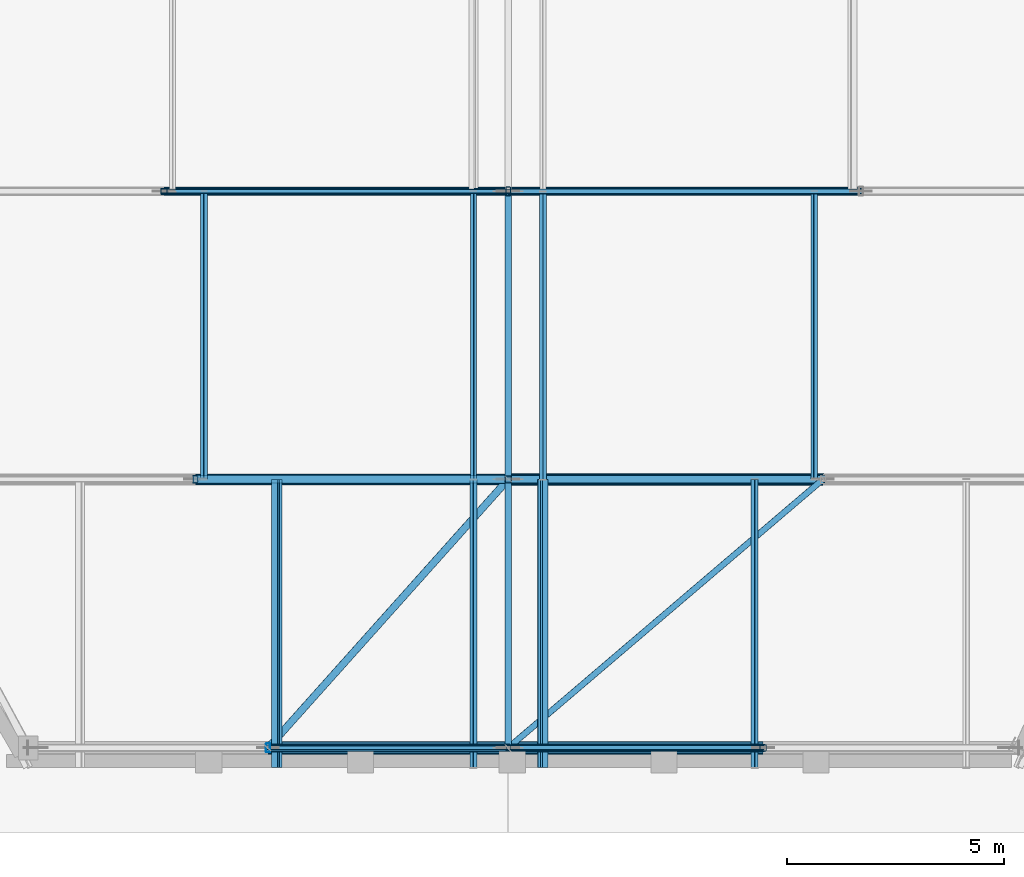
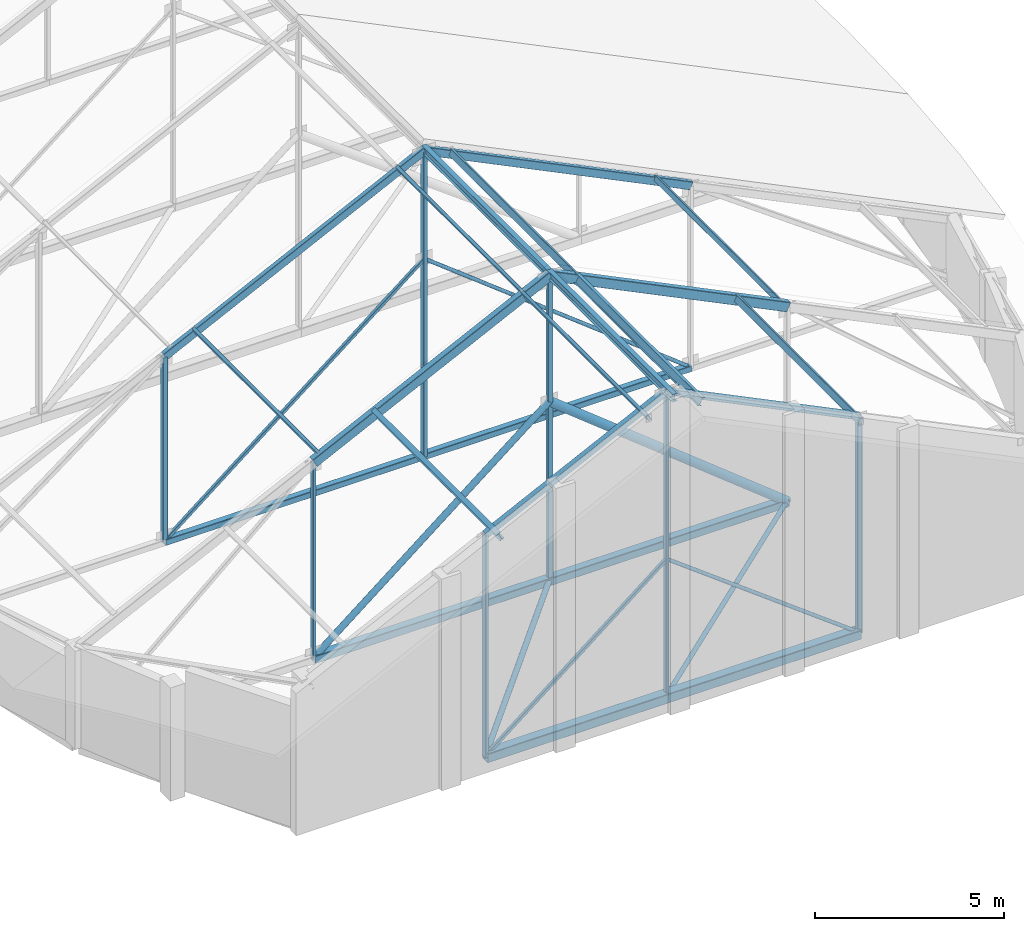
# One storey, part 28 of 78: 37 members.
"""IFC4 building model written with IfcOpenShell, lengths in metres."""

from ifc_helpers import new_model, si_unit, direction, frame, origin, origin_2d, place, context, subcontext, project, spatial, hollow_rectangle, hollow_circle, i_section, extrude, material, material_profile, profile_set, type_object, element, save


model = new_model("IFC4")

# Units and contexts
model_context = context("Model", 3, precision=1e-05, world=origin(), true_north=direction((0.0, 1.0)))
body_context = subcontext(model_context, "Body", "Model", "MODEL_VIEW")
ifc_project = project(units=[si_unit("LENGTHUNIT", "METRE"), si_unit("AREAUNIT", "SQUARE_METRE"), si_unit("VOLUMEUNIT", "CUBIC_METRE"), si_unit("PLANEANGLEUNIT", "RADIAN"), si_unit("MASSUNIT", "GRAM", prefix="KILO")], contexts=[model_context])

# Site, building, storey
site_placement = place(None, origin())
site = spatial("IfcSite", under=ifc_project, at=site_placement, CompositionType="ELEMENT")
building_placement = place(site_placement, origin())
building = spatial("IfcBuilding", under=site, at=building_placement, Name="Kelanivale Promenade Academy", CompositionType="ELEMENT")
storey_placement = place(building_placement, frame((0.0, 0.0, 16.199951171875)))
storey = spatial("IfcBuildingStorey", under=building, at=storey_placement, Name="L04", CompositionType="ELEMENT", Elevation=16.199951171875)

# Members
ifc_material = material(Name="Steel S355", Category="steel")
ifc_material_profile_1 = material_profile(ifc_material, i_section(OverallWidth=0.14599609375, OverallDepth=0.25146484375, WebThickness=0.006103515625, FlangeThickness=0.008544921875, FilletRadius=0.007568359375, at=origin_2d()), Name="UB 254x146x31")
ifc_profile_set_1 = profile_set([ifc_material_profile_1], Name="Steel S355")
member_type_1 = type_object("IfcMemberType", Name="PR-02 UB 254x146x31", PredefinedType="PURLIN", material=ifc_profile_set_1)
for number, where, z_axis, x_axis, name in (
    (1, (139.199951171875, 33.0, 10.087158203125), (0.0, 1.0, 0.0), (-1.0, 0.0, 0.0), "Assembly Hall Arc Pavilion roof tie purlin PR-02"),
    (2, (133.875, 33.0, 7.47607421875), (0.0, 1.0, 0.0), (-0.898564392509, 0.0, -0.438841694139), "Assembly Hall Arc Pavilion roof purlin PR-02"),
    (3, (140.0, 33.0, 9.68603515625), (0.0, 1.0, 0.0), (-0.898564392509, 0.0, 0.438841694139), "Assembly Hall Arc Pavilion roof purlin PR-02"),
):
    element("IfcMember", number, at=place(storey_placement, frame(where, z_axis=z_axis, x_axis=x_axis)), inside=storey, type_object=member_type_1, Name=name, PredefinedType="PURLIN", context=body_context, shape_type="SweptSolid", body=[
        extrude(i_section(OverallWidth=0.14599609375, OverallDepth=0.25146484375, WebThickness=0.006103515625, FlangeThickness=0.008544921875, FilletRadius=0.007568359375, at=origin_2d()), origin(), (0.0, 0.0, 1.0), 6.62890625),
    ])
member_1_placement = place(storey_placement, frame((139.199951171875, 39.62890625, 10.087158203125), z_axis=(0.0, 1.0, 0.0), x_axis=(-1.0, 0.0, 0.0)))
element("IfcMember", 4, at=member_1_placement, inside=storey, type_object=member_type_1, Name="Assembly Hall Arc Pavilion roof tie purlin PR-02", PredefinedType="PURLIN", context=body_context, shape_type="SweptSolid", body=[
    extrude(i_section(OverallWidth=0.14599609375, OverallDepth=0.25146484375, WebThickness=0.006103515625, FlangeThickness=0.008544921875, FilletRadius=0.007568359375, at=origin_2d()), origin(), (0.0, 0.0, 1.0), 6.628173828125),
])
ifc_material_profile_2 = material_profile(ifc_material, hollow_rectangle(XDim=0.10009765625, YDim=0.199951171875, WallThickness=0.008056640625, InnerFilletRadius=0.008056640625, OuterFilletRadius=0.01611328125, at=origin_2d()), Name="RHS 200x100x8.0")
ifc_profile_set_2 = profile_set([ifc_material_profile_2], Name="Steel S355")
member_type_2 = type_object("IfcMemberType", Name="PR-03 RHS 200x100x8.0", PredefinedType="PURLIN", material=ifc_profile_set_2)
for number, where, z_axis, x_axis, name in (
    (5, (138.39990234375, 33.0, 9.715087890625), (0.0, 1.0, 0.0), (-0.898564392509, 0.0, -0.438841694139), "Assembly Hall Arc Pavilion roof purlin PR-03"),
    (6, (144.868896484375, 33.0, 7.337158203125), (0.0, 1.0, 0.0), (-0.898564392509, 0.0, 0.438841694139), "Assembly Hall Arc Pavilion roof purlin PR-03"),
):
    element("IfcMember", number, at=place(storey_placement, frame(where, z_axis=z_axis, x_axis=x_axis)), inside=storey, type_object=member_type_2, Name=name, PredefinedType="PURLIN", context=body_context, shape_type="SweptSolid", body=[
        extrude(hollow_rectangle(XDim=0.10009765625, YDim=0.199951171875, WallThickness=0.008056640625, InnerFilletRadius=0.008056640625, OuterFilletRadius=0.01611328125, at=origin_2d()), origin(), (0.0, 0.0, 1.0), 6.62890625),
    ])
for number, where, z_axis, x_axis, name in (
    (7, (132.199951171875, 39.62890625, 6.68701171875), (0.0, 1.0, 0.0), (-0.898564392509, 0.0, -0.438841694139), "Assembly Hall Arc Pavilion roof purlin PR-03"),
    (8, (140.0, 39.62890625, 9.715087890625), (0.0, 1.0, 0.0), (-0.898564392509, 0.0, 0.438841694139), "Assembly Hall Arc Pavilion roof purlin PR-03"),
):
    element("IfcMember", number, at=place(storey_placement, frame(where, z_axis=z_axis, x_axis=x_axis)), inside=storey, type_object=member_type_2, Name=name, PredefinedType="PURLIN", context=body_context, shape_type="SweptSolid", body=[
        extrude(hollow_rectangle(XDim=0.10009765625, YDim=0.199951171875, WallThickness=0.008056640625, InnerFilletRadius=0.008056640625, OuterFilletRadius=0.01611328125, at=origin_2d()), origin(), (0.0, 0.0, 1.0), 6.628173828125),
    ])
ifc_material_profile_3 = material_profile(ifc_material, hollow_rectangle(XDim=0.10009765625, YDim=0.14990234375, WallThickness=0.008056640625, InnerFilletRadius=0.008056640625, OuterFilletRadius=0.01611328125, at=origin_2d()), Name="RHS 150x100x8.0")
ifc_profile_set_3 = profile_set([ifc_material_profile_3], Name="Steel S355")
member_type_3 = type_object("IfcMemberType", Name="PR-04 RHS 150x100x8.0", PredefinedType="PURLIN", material=ifc_profile_set_3)
for number, where, z_axis, x_axis, name in (
    (9, (138.39990234375, 39.62890625, 9.7431640625), (0.0, 1.0, 0.0), (-0.898564392509, 0.0, -0.438841694139), "Assembly Hall Arc Pavilion roof purlin PR-04"),
    (10, (146.2451171875, 39.62890625, 6.693115234375), (0.0, 1.0, 0.0), (-0.898564392509, 0.0, 0.438841694139), "Assembly Hall Arc Pavilion roof purlin PR-04"),
):
    element("IfcMember", number, at=place(storey_placement, frame(where, z_axis=z_axis, x_axis=x_axis)), inside=storey, type_object=member_type_3, Name=name, PredefinedType="PURLIN", context=body_context, shape_type="SweptSolid", body=[
        extrude(hollow_rectangle(XDim=0.10009765625, YDim=0.14990234375, WallThickness=0.008056640625, InnerFilletRadius=0.008056640625, OuterFilletRadius=0.01611328125, at=origin_2d()), origin(), (0.0, 0.0, 1.0), 6.628173828125),
    ])
ifc_material_profile_4 = material_profile(ifc_material, hollow_rectangle(XDim=0.300048828125, YDim=0.300048828125, WallThickness=0.01611328125, InnerFilletRadius=0.01611328125, OuterFilletRadius=0.031982421875, at=origin_2d()), Name="SHS 300x300x16.0")
ifc_profile_set_4 = profile_set([ifc_material_profile_4], Name="Steel S355")
member_type_4 = type_object("IfcMemberType", Name="TC-01 SHS 300x300x16.0", PredefinedType="CHORD", material=ifc_profile_set_4)
member_2_placement = place(storey_placement, frame((133.675048828125, 33.449951171875, 0.199951171875), z_axis=(1.0, 0.0, 0.0), x_axis=(0.0, 1.0, 0.0)))
element("IfcMember", 11, at=member_2_placement, inside=storey, type_object=member_type_4, Name="ROOF TRUSS AH-TR1 bottom chord 2", PredefinedType="CHORD", context=body_context, shape_type="SweptSolid", body=[
    extrude(hollow_rectangle(XDim=0.300048828125, YDim=0.300048828125, WallThickness=0.01611328125, InnerFilletRadius=0.01611328125, OuterFilletRadius=0.031982421875, at=origin_2d()), origin(), (0.0, 0.0, 1.0), 5.52490234375),
])
member_3_placement = place(storey_placement, frame((139.199951171875, 33.449951171875, 0.199951171875), z_axis=(1.0, 0.0, 0.0), x_axis=(0.0, 1.0, 0.0)))
element("IfcMember", 12, at=member_3_placement, inside=storey, type_object=member_type_4, Name="ROOF TRUSS AH-TR1 bottom chord 3", PredefinedType="CHORD", context=body_context, shape_type="SweptSolid", body=[
    extrude(hollow_rectangle(XDim=0.300048828125, YDim=0.300048828125, WallThickness=0.01611328125, InnerFilletRadius=0.01611328125, OuterFilletRadius=0.031982421875, at=origin_2d()), origin(), (0.0, 0.0, 1.0), 5.869140625),
])
ifc_material_profile_5 = material_profile(ifc_material, hollow_rectangle(XDim=0.25, YDim=0.25, WallThickness=0.012451171875, InnerFilletRadius=0.012451171875, OuterFilletRadius=0.02490234375, at=origin_2d()), Name="SHS 250x250x12.5")
ifc_profile_set_5 = profile_set([ifc_material_profile_5], Name="Steel S355")
member_type_5 = type_object("IfcMemberType", Name="TC-02 SHS 250x250x12.5", PredefinedType="CHORD", material=ifc_profile_set_5)
member_4_placement = place(storey_placement, frame((132.0, 39.62890625, 0.199951171875), z_axis=(1.0, 0.0, 0.0), x_axis=(0.0, 1.0, 0.0)))
element("IfcMember", 13, at=member_4_placement, inside=storey, type_object=member_type_5, Name="ROOF TRUSS AH-TR2 bottom chord 2", PredefinedType="CHORD", context=body_context, shape_type="SweptSolid", body=[
    extrude(hollow_rectangle(XDim=0.25, YDim=0.25, WallThickness=0.012451171875, InnerFilletRadius=0.012451171875, OuterFilletRadius=0.02490234375, at=origin_2d()), origin(), (0.0, 0.0, 1.0), 7.199951171875),
])
member_5_placement = place(storey_placement, frame((139.199951171875, 39.62890625, 0.199951171875), z_axis=(1.0, 0.0, 0.0), x_axis=(0.0, 1.0, 0.0)))
element("IfcMember", 14, at=member_5_placement, inside=storey, type_object=member_type_5, Name="ROOF TRUSS AH-TR2 bottom chord 3", PredefinedType="CHORD", context=body_context, shape_type="SweptSolid", body=[
    extrude(hollow_rectangle(XDim=0.25, YDim=0.25, WallThickness=0.012451171875, InnerFilletRadius=0.012451171875, OuterFilletRadius=0.02490234375, at=origin_2d()), origin(), (0.0, 0.0, 1.0), 7.2451171875),
])
ifc_material_profile_6 = material_profile(ifc_material, hollow_rectangle(XDim=0.199951171875, YDim=0.199951171875, WallThickness=0.012451171875, InnerFilletRadius=0.012451171875, OuterFilletRadius=0.02490234375, at=origin_2d()), Name="SHS 200x200x12.5")
ifc_profile_set_6 = profile_set([ifc_material_profile_6], Name="Steel S355")
member_type_6 = type_object("IfcMemberType", Name="TC-03 SHS 200x200x12.5", PredefinedType="CHORD", material=ifc_profile_set_6)
member_6_placement = place(storey_placement, frame((131.27490234375, 46.257080078125, 0.199951171875), z_axis=(1.0, 0.0, 0.0), x_axis=(0.0, 1.0, 0.0)))
element("IfcMember", 15, at=member_6_placement, inside=storey, type_object=member_type_6, Name="ROOF TRUSS AH-TR3 bottom chord 2", PredefinedType="CHORD", context=body_context, shape_type="SweptSolid", body=[
    extrude(hollow_rectangle(XDim=0.199951171875, YDim=0.199951171875, WallThickness=0.012451171875, InnerFilletRadius=0.012451171875, OuterFilletRadius=0.02490234375, at=origin_2d()), origin(), (0.0, 0.0, 1.0), 7.925048828125),
])
member_7_placement = place(storey_placement, frame((139.199951171875, 46.257080078125, 0.199951171875), z_axis=(1.0, 0.0, 0.0), x_axis=(0.0, 1.0, 0.0)))
element("IfcMember", 16, at=member_7_placement, inside=storey, type_object=member_type_6, Name="ROOF TRUSS AH-TR3 bottom chord 3", PredefinedType="CHORD", context=body_context, shape_type="SweptSolid", body=[
    extrude(hollow_rectangle(XDim=0.199951171875, YDim=0.199951171875, WallThickness=0.012451171875, InnerFilletRadius=0.012451171875, OuterFilletRadius=0.02490234375, at=origin_2d()), origin(), (0.0, 0.0, 1.0), 8.1201171875),
])
ifc_material_profile_7 = material_profile(ifc_material, hollow_rectangle(XDim=0.179931640625, YDim=0.179931640625, WallThickness=0.010009765625, InnerFilletRadius=0.010009765625, OuterFilletRadius=0.02001953125, at=origin_2d()), Name="SHS 180x180x10.0")
ifc_profile_set_7 = profile_set([ifc_material_profile_7], Name="Steel S355")
member_type_7 = type_object("IfcMemberType", Name="TC-04 SHS 180x180x10.0", PredefinedType="CHORD", material=ifc_profile_set_7)
member_8_placement = place(storey_placement, frame((133.675048828125, 33.449951171875, 7.343994140625), z_axis=(0.898580988374, 0.0, 0.438807711114), x_axis=(0.0, 1.0, 0.0)))
element("IfcMember", 17, at=member_8_placement, inside=storey, type_object=member_type_7, Name="ROOF TRUSS AH-TR1 top chord 2", PredefinedType="CHORD", context=body_context, shape_type="SweptSolid", body=[
    extrude(hollow_rectangle(XDim=0.179931640625, YDim=0.179931640625, WallThickness=0.010009765625, InnerFilletRadius=0.010009765625, OuterFilletRadius=0.02001953125, at=origin_2d()), origin(), (0.0, 0.0, 1.0), 6.1484375),
])
member_9_placement = place(storey_placement, frame((139.199951171875, 33.449951171875, 10.0419921875), z_axis=(0.898589109791, 0.0, -0.43879107986), x_axis=(0.0, 1.0, 0.0)))
element("IfcMember", 18, at=member_9_placement, inside=storey, type_object=member_type_7, Name="ROOF TRUSS AH-TR1 top chord 3", PredefinedType="CHORD", context=body_context, shape_type="SweptSolid", body=[
    extrude(hollow_rectangle(XDim=0.179931640625, YDim=0.179931640625, WallThickness=0.010009765625, InnerFilletRadius=0.010009765625, OuterFilletRadius=0.02001953125, at=origin_2d()), origin(), (0.0, 0.0, 1.0), 6.531494140625),
])
ifc_material_profile_8 = material_profile(ifc_material, hollow_rectangle(XDim=0.199951171875, YDim=0.300048828125, WallThickness=0.012451171875, InnerFilletRadius=0.012451171875, OuterFilletRadius=0.02490234375, at=origin_2d()), Name="RHS 300x200x12.5")
ifc_profile_set_8 = profile_set([ifc_material_profile_8], Name="Steel S355")
member_type_8 = type_object("IfcMemberType", Name="TC-05 RHS 300x200x12.5", PredefinedType="CHORD", material=ifc_profile_set_8)
member_10_placement = place(storey_placement, frame((132.0, 39.62890625, 6.526123046875), z_axis=(0.898586515561, 0.0, 0.438796392479), x_axis=(0.0, 1.0, 0.0)))
element("IfcMember", 19, at=member_10_placement, inside=storey, type_object=member_type_8, Name="ROOF TRUSS AH-TR2 top chord 2", PredefinedType="CHORD", context=body_context, shape_type="SweptSolid", body=[
    extrude(hollow_rectangle(XDim=0.199951171875, YDim=0.300048828125, WallThickness=0.012451171875, InnerFilletRadius=0.012451171875, OuterFilletRadius=0.02490234375, at=origin_2d()), origin(), (0.0, 0.0, 1.0), 8.012451171875),
])
member_11_placement = place(storey_placement, frame((139.199951171875, 39.62890625, 10.0419921875), z_axis=(0.898590561959, 0.0, -0.43878810599), x_axis=(0.0, 1.0, 0.0)))
element("IfcMember", 20, at=member_11_placement, inside=storey, type_object=member_type_8, Name="ROOF TRUSS AH-TR2 top chord 3", PredefinedType="CHORD", context=body_context, shape_type="SweptSolid", body=[
    extrude(hollow_rectangle(XDim=0.199951171875, YDim=0.300048828125, WallThickness=0.012451171875, InnerFilletRadius=0.012451171875, OuterFilletRadius=0.02490234375, at=origin_2d()), origin(), (0.0, 0.0, 1.0), 8.062744140625),
])
ifc_material_profile_9 = material_profile(ifc_material, hollow_rectangle(XDim=0.14990234375, YDim=0.25, WallThickness=0.010009765625, InnerFilletRadius=0.010009765625, OuterFilletRadius=0.02001953125, at=origin_2d()), Name="RHS 250x150x10.0")
ifc_profile_set_9 = profile_set([ifc_material_profile_9], Name="Steel S355")
member_type_9 = type_object("IfcMemberType", Name="TC-06 RHS 250x150x10.0", PredefinedType="CHORD", material=ifc_profile_set_9)
member_12_placement = place(storey_placement, frame((131.27490234375, 46.257080078125, 6.172119140625), z_axis=(0.898589853944, 0.0, 0.438789555925), x_axis=(0.0, 1.0, 0.0)))
element("IfcMember", 21, at=member_12_placement, inside=storey, type_object=member_type_9, Name="ROOF TRUSS AH-TR3 top chord 2", PredefinedType="CHORD", context=body_context, shape_type="SweptSolid", body=[
    extrude(hollow_rectangle(XDim=0.14990234375, YDim=0.25, WallThickness=0.010009765625, InnerFilletRadius=0.010009765625, OuterFilletRadius=0.02001953125, at=origin_2d()), origin(), (0.0, 0.0, 1.0), 8.8193359375),
])
member_13_placement = place(storey_placement, frame((139.199951171875, 46.257080078125, 10.0419921875), z_axis=(0.898548934374, 0.0, -0.438873344525), x_axis=(0.0, 1.0, 0.0)))
element("IfcMember", 22, at=member_13_placement, inside=storey, type_object=member_type_9, Name="ROOF TRUSS AH-TR3 top chord 3", PredefinedType="CHORD", context=body_context, shape_type="SweptSolid", body=[
    extrude(hollow_rectangle(XDim=0.14990234375, YDim=0.25, WallThickness=0.010009765625, InnerFilletRadius=0.010009765625, OuterFilletRadius=0.02001953125, at=origin_2d()), origin(), (0.0, 0.0, 1.0), 9.036865234375),
])
ifc_material_profile_10 = material_profile(ifc_material, hollow_rectangle(XDim=0.10009765625, YDim=0.10009765625, WallThickness=0.00634765625, InnerFilletRadius=0.00634765625, OuterFilletRadius=0.0126953125, at=origin_2d()), Name="SHS 100x100x6.3")
ifc_profile_set_10 = profile_set([ifc_material_profile_10], Name="Steel S355")
member_type_10 = type_object("IfcMemberType", Name="TD-03 SHS 100x100x6.3", PredefinedType="BRACE", material=ifc_profile_set_10)
member_14_placement = place(storey_placement, frame((133.675048828125, 33.449951171875, 0.199951171875), z_axis=(0.78085197737, 0.0, 0.624716087065), x_axis=(0.0, 1.0, 0.0)))
element("IfcMember", 23, at=member_14_placement, inside=storey, type_object=member_type_10, Name="ROOF TRUSS AH-TR1 web diagonal 2", PredefinedType="BRACE", context=body_context, shape_type="SweptSolid", body=[
    extrude(hollow_rectangle(XDim=0.10009765625, YDim=0.10009765625, WallThickness=0.00634765625, InnerFilletRadius=0.00634765625, OuterFilletRadius=0.0126953125, at=origin_2d()), origin(), (0.0, 0.0, 1.0), 7.075439453125),
])
member_15_placement = place(storey_placement, frame((131.27490234375, 46.257080078125, 0.199951171875), z_axis=(0.780866462557, 0.0, 0.624697981151), x_axis=(0.0, 1.0, 0.0)))
element("IfcMember", 24, at=member_15_placement, inside=storey, type_object=member_type_10, Name="ROOF TRUSS AH-TR3 web diagonal 2", PredefinedType="BRACE", context=body_context, shape_type="SweptSolid", body=[
    extrude(hollow_rectangle(XDim=0.10009765625, YDim=0.10009765625, WallThickness=0.00634765625, InnerFilletRadius=0.00634765625, OuterFilletRadius=0.0126953125, at=origin_2d()), origin(), (0.0, 0.0, 1.0), 10.14892578125),
])
ifc_material_profile_11 = material_profile(ifc_material, hollow_circle(Radius=0.084228515625, WallThickness=0.008056640625, at=origin_2d()), Name="CHS 168.3x8.0")
ifc_profile_set_11 = profile_set([ifc_material_profile_11], Name="Steel S355")
member_type_11 = type_object("IfcMemberType", Name="TD-04 CHS 168.3x8.0", PredefinedType="BRACE", material=ifc_profile_set_11)
member_16_placement = place(storey_placement, frame((133.675048828125, 33.449951171875, 0.199951171875), z_axis=(0.666551168667, 0.745459280946, 0.0), x_axis=(-0.745459280946, 0.666551168667, 0.0)))
element("IfcMember", 25, at=member_16_placement, inside=storey, type_object=member_type_11, Name="Assembly Hall Arc Pavilion roof wind brace TD-04", PredefinedType="BRACE", context=body_context, shape_type="SweptSolid", body=[
    extrude(hollow_circle(Radius=0.084228515625, WallThickness=0.008056640625, at=origin_2d()), origin(), (0.0, 0.0, 1.0), 8.288818359375),
])
ifc_material_profile_12 = material_profile(ifc_material, hollow_circle(Radius=0.06982421875, WallThickness=0.008056640625, at=origin_2d()), Name="CHS 139.7x8.0")
ifc_profile_set_12 = profile_set([ifc_material_profile_12], Name="Steel S355")
member_type_12 = type_object("IfcMemberType", Name="TD-05 CHS 139.7x8.0", PredefinedType="BRACE", material=ifc_profile_set_12)
member_17_placement = place(storey_placement, frame((139.199951171875, 33.449951171875, 0.199951171875), z_axis=(0.760870438866, 0.648903825895, 0.0), x_axis=(-0.648903825895, 0.760870438866, 0.0)))
element("IfcMember", 26, at=member_17_placement, inside=storey, type_object=member_type_12, Name="Assembly Hall Arc Pavilion roof wind brace TD-05", PredefinedType="BRACE", context=body_context, shape_type="SweptSolid", body=[
    extrude(hollow_circle(Radius=0.06982421875, WallThickness=0.008056640625, at=origin_2d()), origin(), (0.0, 0.0, 1.0), 9.522216796875),
])
ifc_material_profile_13 = material_profile(ifc_material, hollow_circle(Radius=0.05712890625, WallThickness=0.00634765625, at=origin_2d()), Name="CHS 114.3x6.3")
ifc_profile_set_13 = profile_set([ifc_material_profile_13], Name="Steel S355")
member_type_13 = type_object("IfcMemberType", Name="TD-06 CHS 114.3x6.3", PredefinedType="BRACE", material=ifc_profile_set_13)
member_18_placement = place(storey_placement, frame((145.069091796875, 33.449951171875, 0.199951171875), z_axis=(-0.798802200472, 0.0, 0.601593753725), x_axis=(0.0, -1.0, 0.0)))
element("IfcMember", 27, at=member_18_placement, inside=storey, type_object=member_type_13, Name="ROOF TRUSS AH-TR1 web diagonal 3", PredefinedType="BRACE", context=body_context, shape_type="SweptSolid", body=[
    extrude(hollow_circle(Radius=0.05712890625, WallThickness=0.00634765625, at=origin_2d()), origin(), (0.0, 0.0, 1.0), 7.347412109375),
])
member_19_placement = place(storey_placement, frame((147.320068359375, 46.257080078125, 0.199951171875), z_axis=(-0.788201107453, 0.0, 0.615417755846), x_axis=(0.0, -1.0, 0.0)))
element("IfcMember", 28, at=member_19_placement, inside=storey, type_object=member_type_13, Name="ROOF TRUSS AH-TR3 web diagonal 3", PredefinedType="BRACE", context=body_context, shape_type="SweptSolid", body=[
    extrude(hollow_circle(Radius=0.05712890625, WallThickness=0.00634765625, at=origin_2d()), origin(), (0.0, 0.0, 1.0), 10.302001953125),
])
ifc_material_profile_14 = material_profile(ifc_material, hollow_circle(Radius=0.096923828125, WallThickness=0.010009765625, at=origin_2d()), Name="CHS 193.7x10.0")
ifc_profile_set_14 = profile_set([ifc_material_profile_14], Name="Steel S355")
member_type_14 = type_object("IfcMemberType", Name="TD-07 CHS 193.7x10.0", PredefinedType="BRACE", material=ifc_profile_set_14)
member_20_placement = place(storey_placement, frame((132.0, 39.62890625, 0.199951171875), z_axis=(0.780866226205, 0.0, 0.624698276588), x_axis=(0.0, 1.0, 0.0)))
element("IfcMember", 29, at=member_20_placement, inside=storey, type_object=member_type_14, Name="ROOF TRUSS AH-TR2 web diagonal 2", PredefinedType="BRACE", context=body_context, shape_type="SweptSolid", body=[
    extrude(hollow_circle(Radius=0.096923828125, WallThickness=0.010009765625, at=origin_2d()), origin(), (0.0, 0.0, 1.0), 9.220458984375),
])
ifc_material_profile_15 = material_profile(ifc_material, hollow_circle(Radius=0.136474609375, WallThickness=0.012451171875, at=origin_2d()), Name="CHS 273.0x12.5")
ifc_profile_set_15 = profile_set([ifc_material_profile_15], Name="Steel S355")
member_type_15 = type_object("IfcMemberType", Name="TD-08 CHS 273.0x12.5", PredefinedType="BRACE", material=ifc_profile_set_15)
member_21_placement = place(storey_placement, frame((146.445068359375, 39.62890625, 0.199951171875), z_axis=(-0.782766915922, 0.0, 0.622314996878), x_axis=(0.0, -1.0, 0.0)))
element("IfcMember", 30, at=member_21_placement, inside=storey, type_object=member_type_15, Name="ROOF TRUSS AH-TR2 web diagonal 3", PredefinedType="BRACE", context=body_context, shape_type="SweptSolid", body=[
    extrude(hollow_circle(Radius=0.136474609375, WallThickness=0.012451171875, at=origin_2d()), origin(), (0.0, 0.0, 1.0), 9.255859375),
])
ifc_material_profile_16 = material_profile(ifc_material, hollow_rectangle(XDim=0.1201171875, YDim=0.199951171875, WallThickness=0.010009765625, InnerFilletRadius=0.010009765625, OuterFilletRadius=0.02001953125, at=origin_2d()), Name="RHS 200x120x10.0")
ifc_profile_set_16 = profile_set([ifc_material_profile_16], Name="Steel S355")
member_type_16 = type_object("IfcMemberType", Name="TV-01 RHS 200x120x10.0", PredefinedType="STRUT", material=ifc_profile_set_16)
member_22_placement = place(storey_placement, frame((139.199951171875, 46.257080078125, 0.199951171875), z_axis=(0.0, 0.0, 1.0), x_axis=(1.0, 0.0, 0.0)))
element("IfcMember", 31, at=member_22_placement, inside=storey, type_object=member_type_16, Name="ROOF TRUSS AH-TR3 vertical strut 2", PredefinedType="STRUT", context=body_context, shape_type="SweptSolid", body=[
    extrude(hollow_rectangle(XDim=0.1201171875, YDim=0.199951171875, WallThickness=0.010009765625, InnerFilletRadius=0.010009765625, OuterFilletRadius=0.02001953125, at=origin_2d()), origin(), (0.0, 0.0, 1.0), 9.842041015625),
])
ifc_material_profile_17 = material_profile(ifc_material, hollow_rectangle(XDim=0.10009765625, YDim=0.199951171875, WallThickness=0.008056640625, InnerFilletRadius=0.008056640625, OuterFilletRadius=0.01611328125, at=origin_2d()), Name="RHS 200x100x8.0")
ifc_profile_set_17 = profile_set([ifc_material_profile_17], Name="Steel S355")
member_type_17 = type_object("IfcMemberType", Name="TV-02 RHS 200x100x8.0", PredefinedType="STRUT", material=ifc_profile_set_17)
member_23_placement = place(storey_placement, frame((133.675048828125, 33.449951171875, 0.199951171875), z_axis=(0.0, 0.0, 1.0), x_axis=(1.0, 0.0, 0.0)))
element("IfcMember", 32, at=member_23_placement, inside=storey, type_object=member_type_17, Name="ROOF TRUSS AH-TR1 vertical strut 1", PredefinedType="STRUT", context=body_context, shape_type="SweptSolid", body=[
    extrude(hollow_rectangle(XDim=0.10009765625, YDim=0.199951171875, WallThickness=0.008056640625, InnerFilletRadius=0.008056640625, OuterFilletRadius=0.01611328125, at=origin_2d()), origin(), (0.0, 0.0, 1.0), 7.14404296875),
])
ifc_material_profile_18 = material_profile(ifc_material, hollow_rectangle(XDim=0.10009765625, YDim=0.14990234375, WallThickness=0.008056640625, InnerFilletRadius=0.008056640625, OuterFilletRadius=0.01611328125, at=origin_2d()), Name="RHS 150x100x8.0")
ifc_profile_set_18 = profile_set([ifc_material_profile_18], Name="Steel S355")
member_type_18 = type_object("IfcMemberType", Name="TV-03 RHS 150x100x8.0", PredefinedType="STRUT", material=ifc_profile_set_18)
member_24_placement = place(storey_placement, frame((139.199951171875, 33.449951171875, 0.199951171875), z_axis=(0.0, 0.0, 1.0), x_axis=(1.0, 0.0, 0.0)))
element("IfcMember", 33, at=member_24_placement, inside=storey, type_object=member_type_18, Name="ROOF TRUSS AH-TR1 vertical strut 2", PredefinedType="STRUT", context=body_context, shape_type="SweptSolid", body=[
    extrude(hollow_rectangle(XDim=0.10009765625, YDim=0.14990234375, WallThickness=0.008056640625, InnerFilletRadius=0.008056640625, OuterFilletRadius=0.01611328125, at=origin_2d()), origin(), (0.0, 0.0, 1.0), 9.842041015625),
])
member_25_placement = place(storey_placement, frame((132.0, 39.62890625, 0.199951171875), z_axis=(0.0, 0.0, 1.0), x_axis=(1.0, 0.0, 0.0)))
element("IfcMember", 34, at=member_25_placement, inside=storey, type_object=member_type_18, Name="ROOF TRUSS AH-TR2 vertical strut 1", PredefinedType="STRUT", context=body_context, shape_type="SweptSolid", body=[
    extrude(hollow_rectangle(XDim=0.10009765625, YDim=0.14990234375, WallThickness=0.008056640625, InnerFilletRadius=0.008056640625, OuterFilletRadius=0.01611328125, at=origin_2d()), origin(), (0.0, 0.0, 1.0), 6.326171875),
])
ifc_material_profile_19 = material_profile(ifc_material, hollow_rectangle(XDim=0.14990234375, YDim=0.14990234375, WallThickness=0.010009765625, InnerFilletRadius=0.010009765625, OuterFilletRadius=0.02001953125, at=origin_2d()), Name="SHS 150x150x10.0")
ifc_profile_set_19 = profile_set([ifc_material_profile_19], Name="Steel S355")
member_type_19 = type_object("IfcMemberType", Name="TV-04 SHS 150x150x10.0", PredefinedType="STRUT", material=ifc_profile_set_19)
member_26_placement = place(storey_placement, frame((145.069091796875, 33.449951171875, 0.199951171875), z_axis=(0.0, 0.0, 1.0), x_axis=(1.0, 0.0, 0.0)))
element("IfcMember", 35, at=member_26_placement, inside=storey, type_object=member_type_19, Name="ROOF TRUSS AH-TR1 vertical strut 3", PredefinedType="STRUT", context=body_context, shape_type="SweptSolid", body=[
    extrude(hollow_rectangle(XDim=0.14990234375, YDim=0.14990234375, WallThickness=0.010009765625, InnerFilletRadius=0.010009765625, OuterFilletRadius=0.02001953125, at=origin_2d()), origin(), (0.0, 0.0, 1.0), 6.97607421875),
])
member_27_placement = place(storey_placement, frame((139.199951171875, 39.62890625, 0.199951171875), z_axis=(0.0, 0.0, 1.0), x_axis=(1.0, 0.0, 0.0)))
element("IfcMember", 36, at=member_27_placement, inside=storey, type_object=member_type_19, Name="ROOF TRUSS AH-TR2 vertical strut 2", PredefinedType="STRUT", context=body_context, shape_type="SweptSolid", body=[
    extrude(hollow_rectangle(XDim=0.14990234375, YDim=0.14990234375, WallThickness=0.010009765625, InnerFilletRadius=0.010009765625, OuterFilletRadius=0.02001953125, at=origin_2d()), origin(), (0.0, 0.0, 1.0), 9.842041015625),
])
member_28_placement = place(storey_placement, frame((131.27490234375, 46.257080078125, 0.199951171875), z_axis=(0.0, 0.0, 1.0), x_axis=(1.0, 0.0, 0.0)))
element("IfcMember", 37, at=member_28_placement, inside=storey, type_object=member_type_19, Name="ROOF TRUSS AH-TR3 vertical strut 1", PredefinedType="STRUT", context=body_context, shape_type="SweptSolid", body=[
    extrude(hollow_rectangle(XDim=0.14990234375, YDim=0.14990234375, WallThickness=0.010009765625, InnerFilletRadius=0.010009765625, OuterFilletRadius=0.02001953125, at=origin_2d()), origin(), (0.0, 0.0, 1.0), 5.97216796875),
])

save(model, "model.ifc")
